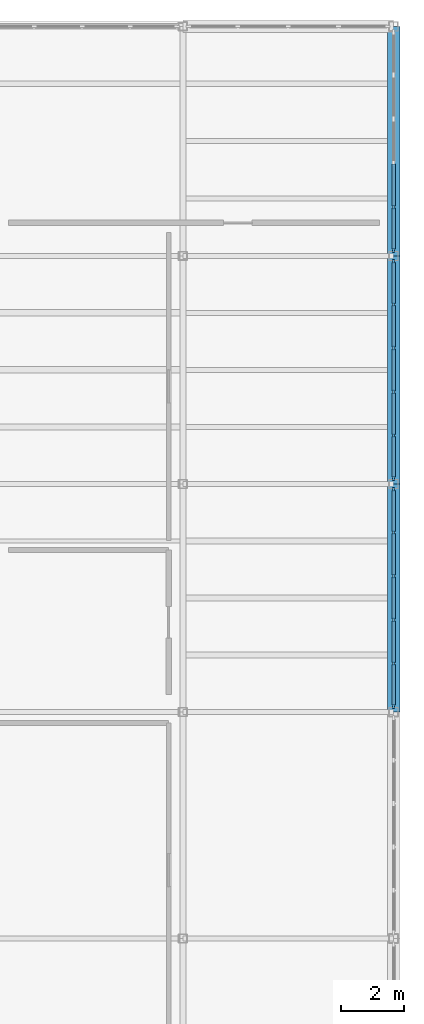
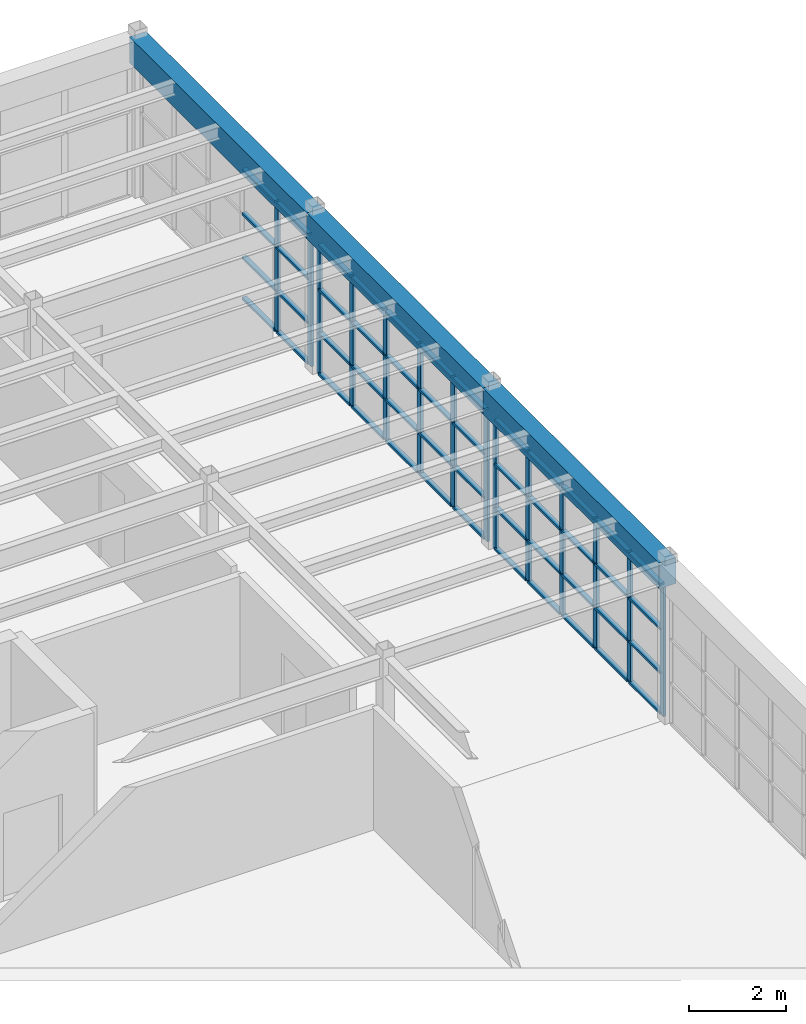
# One storey, part 34 of 52: 62 members, 3 beams, 3 elements without a shape of their own.
"""IFC4 building model written with IfcOpenShell, lengths in metres."""

from ifc_helpers import new_model, si_unit, direction, frame, origin, origin_2d, place, context, subcontext, project, spatial, rectangle, extrude, material, layer, layer_set, material_profile, profile_set, type_object, element, aggregate, save


model = new_model("IFC4")

# Units and contexts
model_context = context("Model", 3, precision=1e-05, world=origin(), true_north=direction((0.0, 1.0)))
body_context = subcontext(model_context, "Body", "Model", "MODEL_VIEW")
ifc_project = project(units=[si_unit("LENGTHUNIT", "METRE"), si_unit("AREAUNIT", "SQUARE_METRE"), si_unit("VOLUMEUNIT", "CUBIC_METRE"), si_unit("PLANEANGLEUNIT", "RADIAN"), si_unit("MASSUNIT", "GRAM", prefix="KILO")], contexts=[model_context])

# Site, building, storey
site_placement = place(None, origin())
site = spatial("IfcSite", under=ifc_project, at=site_placement, CompositionType="ELEMENT")
building_placement = place(site_placement, origin())
building = spatial("IfcBuilding", under=site, at=building_placement, Name="Candilejo Ridge Gondola Terminal", CompositionType="ELEMENT")
storey_placement = place(building_placement, frame((0.0, 0.0, 18.60009765625)))
storey = spatial("IfcBuildingStorey", under=building, at=storey_placement, Name="L04", CompositionType="ELEMENT", Elevation=18.60009765625)

# Curtain wall, members
ifc_material_1 = material(Name="Anodised aluminium AA 6063-T6", Category="aluminium")
ifc_layer_1 = layer(ifc_material_1, 0.169921875)
ifc_layer_set_1 = layer_set([ifc_layer_1], Name="ARC-CW-TOWER-3000-695X329")
curtain_wall_type_1 = type_object("IfcCurtainWallType", Name="ARC-CW-TOWER-3000-695X329", PredefinedType="NOTDEFINED", material=ifc_layer_set_1)
curtain_wall_1_placement = place(storey_placement, origin())
curtain_wall_1 = element("IfcCurtainWall", 1, at=curtain_wall_1_placement, inside=storey, type_object=curtain_wall_type_1, Name="Curtain wall V5 L04-217", PredefinedType="NOTDEFINED")
ifc_material_2 = material(Name="Anodised aluminium AA 6063-T6", Category="aluminium")
ifc_material_profile_1 = material_profile(ifc_material_2, rectangle(XDim=0.06494140625, YDim=0.14990234375, at=origin_2d()))
ifc_profile_set_1 = profile_set([ifc_material_profile_1], Name="Anodised aluminium AA 6063-T6")
member_type_1 = type_object("IfcMemberType", Name="ARC-CW-MULLION-150", PredefinedType="MULLION", material=ifc_profile_set_1)
member_1_placement = place(storey_placement, frame((175.300048828125, 99.232421875, 0.0), z_axis=(0.0, 0.0, 1.0), x_axis=(-1.0, 0.0, 0.0)))
member_1 = element("IfcMember", 2, at=member_1_placement, type_object=member_type_1, Name="CW-69X32 mullion 1", PredefinedType="MULLION", context=body_context, shape_type="SweptSolid", body=[
    extrude(rectangle(XDim=0.06494140625, YDim=0.14990234375, at=origin_2d()), origin(), (0.0, 0.0, 1.0), 3.289794921875),
])
member_2_placement = place(storey_placement, frame((175.300048828125, 100.590087890625, 0.0), z_axis=(0.0, 0.0, 1.0), x_axis=(-1.0, 0.0, 0.0)))
member_2 = element("IfcMember", 3, at=member_2_placement, type_object=member_type_1, Name="CW-69X32 mullion 2", PredefinedType="MULLION", context=body_context, shape_type="SweptSolid", body=[
    extrude(rectangle(XDim=0.06494140625, YDim=0.14990234375, at=origin_2d()), origin(), (0.0, 0.0, 1.0), 3.289794921875),
])
member_3_placement = place(storey_placement, frame((175.300048828125, 101.97998046875, 0.0), z_axis=(0.0, 0.0, 1.0), x_axis=(-1.0, 0.0, 0.0)))
member_3 = element("IfcMember", 4, at=member_3_placement, type_object=member_type_1, Name="CW-69X32 mullion 3", PredefinedType="MULLION", context=body_context, shape_type="SweptSolid", body=[
    extrude(rectangle(XDim=0.06494140625, YDim=0.14990234375, at=origin_2d()), origin(), (0.0, 0.0, 1.0), 3.289794921875),
])
member_4_placement = place(storey_placement, frame((175.300048828125, 103.3701171875, 0.0), z_axis=(0.0, 0.0, 1.0), x_axis=(-1.0, 0.0, 0.0)))
member_4 = element("IfcMember", 5, at=member_4_placement, type_object=member_type_1, Name="CW-69X32 mullion 4", PredefinedType="MULLION", context=body_context, shape_type="SweptSolid", body=[
    extrude(rectangle(XDim=0.06494140625, YDim=0.14990234375, at=origin_2d()), origin(), (0.0, 0.0, 1.0), 3.289794921875),
])
member_5_placement = place(storey_placement, frame((175.300048828125, 104.760009765625, 0.0), z_axis=(0.0, 0.0, 1.0), x_axis=(-1.0, 0.0, 0.0)))
member_5 = element("IfcMember", 6, at=member_5_placement, type_object=member_type_1, Name="CW-69X32 mullion 5", PredefinedType="MULLION", context=body_context, shape_type="SweptSolid", body=[
    extrude(rectangle(XDim=0.06494140625, YDim=0.14990234375, at=origin_2d()), origin(), (0.0, 0.0, 1.0), 3.289794921875),
])
member_6_placement = place(storey_placement, frame((175.300048828125, 106.117431640625, 0.0), z_axis=(0.0, 0.0, 1.0), x_axis=(-1.0, 0.0, 0.0)))
member_6 = element("IfcMember", 7, at=member_6_placement, type_object=member_type_1, Name="CW-69X32 mullion 6", PredefinedType="MULLION", context=body_context, shape_type="SweptSolid", body=[
    extrude(rectangle(XDim=0.06494140625, YDim=0.14990234375, at=origin_2d()), origin(), (0.0, 0.0, 1.0), 3.289794921875),
])

curtain_wall_2_placement = place(storey_placement, origin())
curtain_wall_2 = element("IfcCurtainWall", 8, at=curtain_wall_2_placement, inside=storey, type_object=curtain_wall_type_1, Name="Curtain wall V5 L04-219", PredefinedType="NOTDEFINED")
member_7_placement = place(storey_placement, frame((175.300048828125, 106.482421875, 0.0), z_axis=(0.0, 0.0, 1.0), x_axis=(-1.0, 0.0, 0.0)))
member_7 = element("IfcMember", 9, at=member_7_placement, type_object=member_type_1, Name="CW-69X32 mullion 1", PredefinedType="MULLION", context=body_context, shape_type="SweptSolid", body=[
    extrude(rectangle(XDim=0.06494140625, YDim=0.14990234375, at=origin_2d()), origin(), (0.0, 0.0, 1.0), 3.289794921875),
])
member_8_placement = place(storey_placement, frame((175.300048828125, 107.840087890625, 0.0), z_axis=(0.0, 0.0, 1.0), x_axis=(-1.0, 0.0, 0.0)))
member_8 = element("IfcMember", 10, at=member_8_placement, type_object=member_type_1, Name="CW-69X32 mullion 2", PredefinedType="MULLION", context=body_context, shape_type="SweptSolid", body=[
    extrude(rectangle(XDim=0.06494140625, YDim=0.14990234375, at=origin_2d()), origin(), (0.0, 0.0, 1.0), 3.289794921875),
])
member_9_placement = place(storey_placement, frame((175.300048828125, 109.22998046875, 0.0), z_axis=(0.0, 0.0, 1.0), x_axis=(-1.0, 0.0, 0.0)))
member_9 = element("IfcMember", 11, at=member_9_placement, type_object=member_type_1, Name="CW-69X32 mullion 3", PredefinedType="MULLION", context=body_context, shape_type="SweptSolid", body=[
    extrude(rectangle(XDim=0.06494140625, YDim=0.14990234375, at=origin_2d()), origin(), (0.0, 0.0, 1.0), 3.289794921875),
])
member_10_placement = place(storey_placement, frame((175.300048828125, 110.6201171875, 0.0), z_axis=(0.0, 0.0, 1.0), x_axis=(-1.0, 0.0, 0.0)))
member_10 = element("IfcMember", 12, at=member_10_placement, type_object=member_type_1, Name="CW-69X32 mullion 4", PredefinedType="MULLION", context=body_context, shape_type="SweptSolid", body=[
    extrude(rectangle(XDim=0.06494140625, YDim=0.14990234375, at=origin_2d()), origin(), (0.0, 0.0, 1.0), 3.289794921875),
])
member_11_placement = place(storey_placement, frame((175.300048828125, 112.010009765625, 0.0), z_axis=(0.0, 0.0, 1.0), x_axis=(-1.0, 0.0, 0.0)))
member_11 = element("IfcMember", 13, at=member_11_placement, type_object=member_type_1, Name="CW-69X32 mullion 5", PredefinedType="MULLION", context=body_context, shape_type="SweptSolid", body=[
    extrude(rectangle(XDim=0.06494140625, YDim=0.14990234375, at=origin_2d()), origin(), (0.0, 0.0, 1.0), 3.289794921875),
])
member_12_placement = place(storey_placement, frame((175.300048828125, 113.367431640625, 0.0), z_axis=(0.0, 0.0, 1.0), x_axis=(-1.0, 0.0, 0.0)))
member_12 = element("IfcMember", 14, at=member_12_placement, type_object=member_type_1, Name="CW-69X32 mullion 6", PredefinedType="MULLION", context=body_context, shape_type="SweptSolid", body=[
    extrude(rectangle(XDim=0.06494140625, YDim=0.14990234375, at=origin_2d()), origin(), (0.0, 0.0, 1.0), 3.289794921875),
])

ifc_material_3 = material(Name="Anodised aluminium AA 6063-T6", Category="aluminium")
ifc_layer_2 = layer(ifc_material_3, 0.169921875)
ifc_layer_set_2 = layer_set([ifc_layer_2], Name="ARC-CW-TOWER-3000-700X329")
curtain_wall_type_2 = type_object("IfcCurtainWallType", Name="ARC-CW-TOWER-3000-700X329", PredefinedType="NOTDEFINED", material=ifc_layer_set_2)
curtain_wall_3_placement = place(storey_placement, origin())
curtain_wall_3 = element("IfcCurtainWall", 15, at=curtain_wall_3_placement, inside=storey, type_object=curtain_wall_type_2, Name="Curtain wall V5 L04-221", PredefinedType="NOTDEFINED")
member_13_placement = place(storey_placement, frame((175.300048828125, 113.732421875, 0.0), z_axis=(0.0, 0.0, 1.0), x_axis=(-1.0, 0.0, 0.0)))
member_13 = element("IfcMember", 16, at=member_13_placement, type_object=member_type_1, Name="CW-70X32 mullion 1", PredefinedType="MULLION", context=body_context, shape_type="SweptSolid", body=[
    extrude(rectangle(XDim=0.06494140625, YDim=0.14990234375, at=origin_2d()), origin(), (0.0, 0.0, 1.0), 3.289794921875),
])
member_14_placement = place(storey_placement, frame((175.300048828125, 115.10009765625, 0.0), z_axis=(0.0, 0.0, 1.0), x_axis=(-1.0, 0.0, 0.0)))
member_14 = element("IfcMember", 17, at=member_14_placement, type_object=member_type_1, Name="CW-70X32 mullion 2", PredefinedType="MULLION", context=body_context, shape_type="SweptSolid", body=[
    extrude(rectangle(XDim=0.06494140625, YDim=0.14990234375, at=origin_2d()), origin(), (0.0, 0.0, 1.0), 3.289794921875),
])

# Member
ifc_material_4 = material(Name="Anodised aluminium AA 6063-T6", Category="aluminium")
ifc_material_profile_2 = material_profile(ifc_material_4, rectangle(XDim=0.110107421875, YDim=0.06005859375, at=origin_2d()))
ifc_profile_set_2 = profile_set([ifc_material_profile_2], Name="Anodised aluminium AA 6063-T6")
member_type_2 = type_object("IfcMemberType", Name="ARC-CW-TRANSOM-110", PredefinedType="USERDEFINED", material=ifc_profile_set_2)
member_15_placement = place(storey_placement, frame((175.300048828125, 99.264892578125, 0.02978515625), z_axis=(0.0, 1.0, 0.0), x_axis=(-1.0, 0.0, 0.0)))
member_15 = element("IfcMember", 18, at=member_15_placement, type_object=member_type_2, Name="CW-69X32 transom 1.1", ObjectType="TRANSOM", PredefinedType="USERDEFINED", context=body_context, shape_type="SweptSolid", body=[
    extrude(rectangle(XDim=0.110107421875, YDim=0.06005859375, at=origin_2d()), origin(), (0.0, 0.0, 1.0), 1.292724609375),
])

member_16_placement = place(storey_placement, frame((175.300048828125, 99.264892578125, 1.0498046875), z_axis=(0.0, 1.0, 0.0), x_axis=(-1.0, 0.0, 0.0)))
member_16 = element("IfcMember", 19, at=member_16_placement, type_object=member_type_2, Name="CW-69X32 transom 1.2", ObjectType="TRANSOM", PredefinedType="USERDEFINED", context=body_context, shape_type="SweptSolid", body=[
    extrude(rectangle(XDim=0.110107421875, YDim=0.06005859375, at=origin_2d()), origin(), (0.0, 0.0, 1.0), 1.292724609375),
])

member_17_placement = place(storey_placement, frame((175.300048828125, 99.264892578125, 2.14990234375), z_axis=(0.0, 1.0, 0.0), x_axis=(-1.0, 0.0, 0.0)))
member_17 = element("IfcMember", 20, at=member_17_placement, type_object=member_type_2, Name="CW-69X32 transom 1.3", ObjectType="TRANSOM", PredefinedType="USERDEFINED", context=body_context, shape_type="SweptSolid", body=[
    extrude(rectangle(XDim=0.110107421875, YDim=0.06005859375, at=origin_2d()), origin(), (0.0, 0.0, 1.0), 1.292724609375),
])

member_18_placement = place(storey_placement, frame((175.300048828125, 99.264892578125, 3.260009765625), z_axis=(0.0, 1.0, 0.0), x_axis=(-1.0, 0.0, 0.0)))
member_18 = element("IfcMember", 21, at=member_18_placement, type_object=member_type_2, Name="CW-69X32 transom 1.4", ObjectType="TRANSOM", PredefinedType="USERDEFINED", context=body_context, shape_type="SweptSolid", body=[
    extrude(rectangle(XDim=0.110107421875, YDim=0.06005859375, at=origin_2d()), origin(), (0.0, 0.0, 1.0), 1.292724609375),
])

member_19_placement = place(storey_placement, frame((175.300048828125, 100.62255859375, 0.02978515625), z_axis=(0.0, 1.0, 0.0), x_axis=(-1.0, 0.0, 0.0)))
member_19 = element("IfcMember", 22, at=member_19_placement, type_object=member_type_2, Name="CW-69X32 transom 2.1", ObjectType="TRANSOM", PredefinedType="USERDEFINED", context=body_context, shape_type="SweptSolid", body=[
    extrude(rectangle(XDim=0.110107421875, YDim=0.06005859375, at=origin_2d()), origin(), (0.0, 0.0, 1.0), 1.324951171875),
])

member_20_placement = place(storey_placement, frame((175.300048828125, 100.62255859375, 1.0498046875), z_axis=(0.0, 1.0, 0.0), x_axis=(-1.0, 0.0, 0.0)))
member_20 = element("IfcMember", 23, at=member_20_placement, type_object=member_type_2, Name="CW-69X32 transom 2.2", ObjectType="TRANSOM", PredefinedType="USERDEFINED", context=body_context, shape_type="SweptSolid", body=[
    extrude(rectangle(XDim=0.110107421875, YDim=0.06005859375, at=origin_2d()), origin(), (0.0, 0.0, 1.0), 1.324951171875),
])

member_21_placement = place(storey_placement, frame((175.300048828125, 100.62255859375, 2.14990234375), z_axis=(0.0, 1.0, 0.0), x_axis=(-1.0, 0.0, 0.0)))
member_21 = element("IfcMember", 24, at=member_21_placement, type_object=member_type_2, Name="CW-69X32 transom 2.3", ObjectType="TRANSOM", PredefinedType="USERDEFINED", context=body_context, shape_type="SweptSolid", body=[
    extrude(rectangle(XDim=0.110107421875, YDim=0.06005859375, at=origin_2d()), origin(), (0.0, 0.0, 1.0), 1.324951171875),
])

member_22_placement = place(storey_placement, frame((175.300048828125, 100.62255859375, 3.260009765625), z_axis=(0.0, 1.0, 0.0), x_axis=(-1.0, 0.0, 0.0)))
member_22 = element("IfcMember", 25, at=member_22_placement, type_object=member_type_2, Name="CW-69X32 transom 2.4", ObjectType="TRANSOM", PredefinedType="USERDEFINED", context=body_context, shape_type="SweptSolid", body=[
    extrude(rectangle(XDim=0.110107421875, YDim=0.06005859375, at=origin_2d()), origin(), (0.0, 0.0, 1.0), 1.324951171875),
])

member_23_placement = place(storey_placement, frame((175.300048828125, 102.012451171875, 0.02978515625), z_axis=(0.0, 1.0, 0.0), x_axis=(-1.0, 0.0, 0.0)))
member_23 = element("IfcMember", 26, at=member_23_placement, type_object=member_type_2, Name="CW-69X32 transom 3.1", ObjectType="TRANSOM", PredefinedType="USERDEFINED", context=body_context, shape_type="SweptSolid", body=[
    extrude(rectangle(XDim=0.110107421875, YDim=0.06005859375, at=origin_2d()), origin(), (0.0, 0.0, 1.0), 1.324951171875),
])

member_24_placement = place(storey_placement, frame((175.300048828125, 102.012451171875, 1.0498046875), z_axis=(0.0, 1.0, 0.0), x_axis=(-1.0, 0.0, 0.0)))
member_24 = element("IfcMember", 27, at=member_24_placement, type_object=member_type_2, Name="CW-69X32 transom 3.2", ObjectType="TRANSOM", PredefinedType="USERDEFINED", context=body_context, shape_type="SweptSolid", body=[
    extrude(rectangle(XDim=0.110107421875, YDim=0.06005859375, at=origin_2d()), origin(), (0.0, 0.0, 1.0), 1.324951171875),
])

member_25_placement = place(storey_placement, frame((175.300048828125, 102.012451171875, 2.14990234375), z_axis=(0.0, 1.0, 0.0), x_axis=(-1.0, 0.0, 0.0)))
member_25 = element("IfcMember", 28, at=member_25_placement, type_object=member_type_2, Name="CW-69X32 transom 3.3", ObjectType="TRANSOM", PredefinedType="USERDEFINED", context=body_context, shape_type="SweptSolid", body=[
    extrude(rectangle(XDim=0.110107421875, YDim=0.06005859375, at=origin_2d()), origin(), (0.0, 0.0, 1.0), 1.324951171875),
])

member_26_placement = place(storey_placement, frame((175.300048828125, 102.012451171875, 3.260009765625), z_axis=(0.0, 1.0, 0.0), x_axis=(-1.0, 0.0, 0.0)))
member_26 = element("IfcMember", 29, at=member_26_placement, type_object=member_type_2, Name="CW-69X32 transom 3.4", ObjectType="TRANSOM", PredefinedType="USERDEFINED", context=body_context, shape_type="SweptSolid", body=[
    extrude(rectangle(XDim=0.110107421875, YDim=0.06005859375, at=origin_2d()), origin(), (0.0, 0.0, 1.0), 1.324951171875),
])

member_27_placement = place(storey_placement, frame((175.300048828125, 103.402587890625, 0.02978515625), z_axis=(0.0, 1.0, 0.0), x_axis=(-1.0, 0.0, 0.0)))
member_27 = element("IfcMember", 30, at=member_27_placement, type_object=member_type_2, Name="CW-69X32 transom 4.1", ObjectType="TRANSOM", PredefinedType="USERDEFINED", context=body_context, shape_type="SweptSolid", body=[
    extrude(rectangle(XDim=0.110107421875, YDim=0.06005859375, at=origin_2d()), origin(), (0.0, 0.0, 1.0), 1.324951171875),
])

member_28_placement = place(storey_placement, frame((175.300048828125, 103.402587890625, 1.0498046875), z_axis=(0.0, 1.0, 0.0), x_axis=(-1.0, 0.0, 0.0)))
member_28 = element("IfcMember", 31, at=member_28_placement, type_object=member_type_2, Name="CW-69X32 transom 4.2", ObjectType="TRANSOM", PredefinedType="USERDEFINED", context=body_context, shape_type="SweptSolid", body=[
    extrude(rectangle(XDim=0.110107421875, YDim=0.06005859375, at=origin_2d()), origin(), (0.0, 0.0, 1.0), 1.324951171875),
])

member_29_placement = place(storey_placement, frame((175.300048828125, 103.402587890625, 2.14990234375), z_axis=(0.0, 1.0, 0.0), x_axis=(-1.0, 0.0, 0.0)))
member_29 = element("IfcMember", 32, at=member_29_placement, type_object=member_type_2, Name="CW-69X32 transom 4.3", ObjectType="TRANSOM", PredefinedType="USERDEFINED", context=body_context, shape_type="SweptSolid", body=[
    extrude(rectangle(XDim=0.110107421875, YDim=0.06005859375, at=origin_2d()), origin(), (0.0, 0.0, 1.0), 1.324951171875),
])

member_30_placement = place(storey_placement, frame((175.300048828125, 103.402587890625, 3.260009765625), z_axis=(0.0, 1.0, 0.0), x_axis=(-1.0, 0.0, 0.0)))
member_30 = element("IfcMember", 33, at=member_30_placement, type_object=member_type_2, Name="CW-69X32 transom 4.4", ObjectType="TRANSOM", PredefinedType="USERDEFINED", context=body_context, shape_type="SweptSolid", body=[
    extrude(rectangle(XDim=0.110107421875, YDim=0.06005859375, at=origin_2d()), origin(), (0.0, 0.0, 1.0), 1.324951171875),
])

member_31_placement = place(storey_placement, frame((175.300048828125, 104.79248046875, 0.02978515625), z_axis=(0.0, 1.0, 0.0), x_axis=(-1.0, 0.0, 0.0)))
member_31 = element("IfcMember", 34, at=member_31_placement, type_object=member_type_2, Name="CW-69X32 transom 5.1", ObjectType="TRANSOM", PredefinedType="USERDEFINED", context=body_context, shape_type="SweptSolid", body=[
    extrude(rectangle(XDim=0.110107421875, YDim=0.06005859375, at=origin_2d()), origin(), (0.0, 0.0, 1.0), 1.29248046875),
])

member_32_placement = place(storey_placement, frame((175.300048828125, 104.79248046875, 1.0498046875), z_axis=(0.0, 1.0, 0.0), x_axis=(-1.0, 0.0, 0.0)))
member_32 = element("IfcMember", 35, at=member_32_placement, type_object=member_type_2, Name="CW-69X32 transom 5.2", ObjectType="TRANSOM", PredefinedType="USERDEFINED", context=body_context, shape_type="SweptSolid", body=[
    extrude(rectangle(XDim=0.110107421875, YDim=0.06005859375, at=origin_2d()), origin(), (0.0, 0.0, 1.0), 1.29248046875),
])

member_33_placement = place(storey_placement, frame((175.300048828125, 104.79248046875, 2.14990234375), z_axis=(0.0, 1.0, 0.0), x_axis=(-1.0, 0.0, 0.0)))
member_33 = element("IfcMember", 36, at=member_33_placement, type_object=member_type_2, Name="CW-69X32 transom 5.3", ObjectType="TRANSOM", PredefinedType="USERDEFINED", context=body_context, shape_type="SweptSolid", body=[
    extrude(rectangle(XDim=0.110107421875, YDim=0.06005859375, at=origin_2d()), origin(), (0.0, 0.0, 1.0), 1.29248046875),
])

member_34_placement = place(storey_placement, frame((175.300048828125, 104.79248046875, 3.260009765625), z_axis=(0.0, 1.0, 0.0), x_axis=(-1.0, 0.0, 0.0)))
member_34 = element("IfcMember", 37, at=member_34_placement, type_object=member_type_2, Name="CW-69X32 transom 5.4", ObjectType="TRANSOM", PredefinedType="USERDEFINED", context=body_context, shape_type="SweptSolid", body=[
    extrude(rectangle(XDim=0.110107421875, YDim=0.06005859375, at=origin_2d()), origin(), (0.0, 0.0, 1.0), 1.29248046875),
])

aggregate(curtain_wall_1, [member_1, member_2, member_3, member_4, member_5, member_6, member_15, member_16, member_17, member_18, member_19, member_20, member_21, member_22, member_23, member_24, member_25, member_26, member_27, member_28, member_29, member_30, member_31, member_32, member_33, member_34])

member_35_placement = place(storey_placement, frame((175.300048828125, 106.514892578125, 0.02978515625), z_axis=(0.0, 1.0, 0.0), x_axis=(-1.0, 0.0, 0.0)))
member_35 = element("IfcMember", 38, at=member_35_placement, type_object=member_type_2, Name="CW-69X32 transom 1.1", ObjectType="TRANSOM", PredefinedType="USERDEFINED", context=body_context, shape_type="SweptSolid", body=[
    extrude(rectangle(XDim=0.110107421875, YDim=0.06005859375, at=origin_2d()), origin(), (0.0, 0.0, 1.0), 1.292724609375),
])

member_36_placement = place(storey_placement, frame((175.300048828125, 106.514892578125, 1.0498046875), z_axis=(0.0, 1.0, 0.0), x_axis=(-1.0, 0.0, 0.0)))
member_36 = element("IfcMember", 39, at=member_36_placement, type_object=member_type_2, Name="CW-69X32 transom 1.2", ObjectType="TRANSOM", PredefinedType="USERDEFINED", context=body_context, shape_type="SweptSolid", body=[
    extrude(rectangle(XDim=0.110107421875, YDim=0.06005859375, at=origin_2d()), origin(), (0.0, 0.0, 1.0), 1.292724609375),
])

member_37_placement = place(storey_placement, frame((175.300048828125, 106.514892578125, 2.14990234375), z_axis=(0.0, 1.0, 0.0), x_axis=(-1.0, 0.0, 0.0)))
member_37 = element("IfcMember", 40, at=member_37_placement, type_object=member_type_2, Name="CW-69X32 transom 1.3", ObjectType="TRANSOM", PredefinedType="USERDEFINED", context=body_context, shape_type="SweptSolid", body=[
    extrude(rectangle(XDim=0.110107421875, YDim=0.06005859375, at=origin_2d()), origin(), (0.0, 0.0, 1.0), 1.292724609375),
])

member_38_placement = place(storey_placement, frame((175.300048828125, 106.514892578125, 3.260009765625), z_axis=(0.0, 1.0, 0.0), x_axis=(-1.0, 0.0, 0.0)))
member_38 = element("IfcMember", 41, at=member_38_placement, type_object=member_type_2, Name="CW-69X32 transom 1.4", ObjectType="TRANSOM", PredefinedType="USERDEFINED", context=body_context, shape_type="SweptSolid", body=[
    extrude(rectangle(XDim=0.110107421875, YDim=0.06005859375, at=origin_2d()), origin(), (0.0, 0.0, 1.0), 1.292724609375),
])

member_39_placement = place(storey_placement, frame((175.300048828125, 107.87255859375, 0.02978515625), z_axis=(0.0, 1.0, 0.0), x_axis=(-1.0, 0.0, 0.0)))
member_39 = element("IfcMember", 42, at=member_39_placement, type_object=member_type_2, Name="CW-69X32 transom 2.1", ObjectType="TRANSOM", PredefinedType="USERDEFINED", context=body_context, shape_type="SweptSolid", body=[
    extrude(rectangle(XDim=0.110107421875, YDim=0.06005859375, at=origin_2d()), origin(), (0.0, 0.0, 1.0), 1.324951171875),
])

member_40_placement = place(storey_placement, frame((175.300048828125, 107.87255859375, 1.0498046875), z_axis=(0.0, 1.0, 0.0), x_axis=(-1.0, 0.0, 0.0)))
member_40 = element("IfcMember", 43, at=member_40_placement, type_object=member_type_2, Name="CW-69X32 transom 2.2", ObjectType="TRANSOM", PredefinedType="USERDEFINED", context=body_context, shape_type="SweptSolid", body=[
    extrude(rectangle(XDim=0.110107421875, YDim=0.06005859375, at=origin_2d()), origin(), (0.0, 0.0, 1.0), 1.324951171875),
])

member_41_placement = place(storey_placement, frame((175.300048828125, 107.87255859375, 2.14990234375), z_axis=(0.0, 1.0, 0.0), x_axis=(-1.0, 0.0, 0.0)))
member_41 = element("IfcMember", 44, at=member_41_placement, type_object=member_type_2, Name="CW-69X32 transom 2.3", ObjectType="TRANSOM", PredefinedType="USERDEFINED", context=body_context, shape_type="SweptSolid", body=[
    extrude(rectangle(XDim=0.110107421875, YDim=0.06005859375, at=origin_2d()), origin(), (0.0, 0.0, 1.0), 1.324951171875),
])

member_42_placement = place(storey_placement, frame((175.300048828125, 107.87255859375, 3.260009765625), z_axis=(0.0, 1.0, 0.0), x_axis=(-1.0, 0.0, 0.0)))
member_42 = element("IfcMember", 45, at=member_42_placement, type_object=member_type_2, Name="CW-69X32 transom 2.4", ObjectType="TRANSOM", PredefinedType="USERDEFINED", context=body_context, shape_type="SweptSolid", body=[
    extrude(rectangle(XDim=0.110107421875, YDim=0.06005859375, at=origin_2d()), origin(), (0.0, 0.0, 1.0), 1.324951171875),
])

member_43_placement = place(storey_placement, frame((175.300048828125, 109.262451171875, 0.02978515625), z_axis=(0.0, 1.0, 0.0), x_axis=(-1.0, 0.0, 0.0)))
member_43 = element("IfcMember", 46, at=member_43_placement, type_object=member_type_2, Name="CW-69X32 transom 3.1", ObjectType="TRANSOM", PredefinedType="USERDEFINED", context=body_context, shape_type="SweptSolid", body=[
    extrude(rectangle(XDim=0.110107421875, YDim=0.06005859375, at=origin_2d()), origin(), (0.0, 0.0, 1.0), 1.324951171875),
])

member_44_placement = place(storey_placement, frame((175.300048828125, 109.262451171875, 1.0498046875), z_axis=(0.0, 1.0, 0.0), x_axis=(-1.0, 0.0, 0.0)))
member_44 = element("IfcMember", 47, at=member_44_placement, type_object=member_type_2, Name="CW-69X32 transom 3.2", ObjectType="TRANSOM", PredefinedType="USERDEFINED", context=body_context, shape_type="SweptSolid", body=[
    extrude(rectangle(XDim=0.110107421875, YDim=0.06005859375, at=origin_2d()), origin(), (0.0, 0.0, 1.0), 1.324951171875),
])

member_45_placement = place(storey_placement, frame((175.300048828125, 109.262451171875, 2.14990234375), z_axis=(0.0, 1.0, 0.0), x_axis=(-1.0, 0.0, 0.0)))
member_45 = element("IfcMember", 48, at=member_45_placement, type_object=member_type_2, Name="CW-69X32 transom 3.3", ObjectType="TRANSOM", PredefinedType="USERDEFINED", context=body_context, shape_type="SweptSolid", body=[
    extrude(rectangle(XDim=0.110107421875, YDim=0.06005859375, at=origin_2d()), origin(), (0.0, 0.0, 1.0), 1.324951171875),
])

member_46_placement = place(storey_placement, frame((175.300048828125, 109.262451171875, 3.260009765625), z_axis=(0.0, 1.0, 0.0), x_axis=(-1.0, 0.0, 0.0)))
member_46 = element("IfcMember", 49, at=member_46_placement, type_object=member_type_2, Name="CW-69X32 transom 3.4", ObjectType="TRANSOM", PredefinedType="USERDEFINED", context=body_context, shape_type="SweptSolid", body=[
    extrude(rectangle(XDim=0.110107421875, YDim=0.06005859375, at=origin_2d()), origin(), (0.0, 0.0, 1.0), 1.324951171875),
])

member_47_placement = place(storey_placement, frame((175.300048828125, 110.652587890625, 0.02978515625), z_axis=(0.0, 1.0, 0.0), x_axis=(-1.0, 0.0, 0.0)))
member_47 = element("IfcMember", 50, at=member_47_placement, type_object=member_type_2, Name="CW-69X32 transom 4.1", ObjectType="TRANSOM", PredefinedType="USERDEFINED", context=body_context, shape_type="SweptSolid", body=[
    extrude(rectangle(XDim=0.110107421875, YDim=0.06005859375, at=origin_2d()), origin(), (0.0, 0.0, 1.0), 1.324951171875),
])

member_48_placement = place(storey_placement, frame((175.300048828125, 110.652587890625, 1.0498046875), z_axis=(0.0, 1.0, 0.0), x_axis=(-1.0, 0.0, 0.0)))
member_48 = element("IfcMember", 51, at=member_48_placement, type_object=member_type_2, Name="CW-69X32 transom 4.2", ObjectType="TRANSOM", PredefinedType="USERDEFINED", context=body_context, shape_type="SweptSolid", body=[
    extrude(rectangle(XDim=0.110107421875, YDim=0.06005859375, at=origin_2d()), origin(), (0.0, 0.0, 1.0), 1.324951171875),
])

member_49_placement = place(storey_placement, frame((175.300048828125, 110.652587890625, 2.14990234375), z_axis=(0.0, 1.0, 0.0), x_axis=(-1.0, 0.0, 0.0)))
member_49 = element("IfcMember", 52, at=member_49_placement, type_object=member_type_2, Name="CW-69X32 transom 4.3", ObjectType="TRANSOM", PredefinedType="USERDEFINED", context=body_context, shape_type="SweptSolid", body=[
    extrude(rectangle(XDim=0.110107421875, YDim=0.06005859375, at=origin_2d()), origin(), (0.0, 0.0, 1.0), 1.324951171875),
])

member_50_placement = place(storey_placement, frame((175.300048828125, 110.652587890625, 3.260009765625), z_axis=(0.0, 1.0, 0.0), x_axis=(-1.0, 0.0, 0.0)))
member_50 = element("IfcMember", 53, at=member_50_placement, type_object=member_type_2, Name="CW-69X32 transom 4.4", ObjectType="TRANSOM", PredefinedType="USERDEFINED", context=body_context, shape_type="SweptSolid", body=[
    extrude(rectangle(XDim=0.110107421875, YDim=0.06005859375, at=origin_2d()), origin(), (0.0, 0.0, 1.0), 1.324951171875),
])

member_51_placement = place(storey_placement, frame((175.300048828125, 112.04248046875, 0.02978515625), z_axis=(0.0, 1.0, 0.0), x_axis=(-1.0, 0.0, 0.0)))
member_51 = element("IfcMember", 54, at=member_51_placement, type_object=member_type_2, Name="CW-69X32 transom 5.1", ObjectType="TRANSOM", PredefinedType="USERDEFINED", context=body_context, shape_type="SweptSolid", body=[
    extrude(rectangle(XDim=0.110107421875, YDim=0.06005859375, at=origin_2d()), origin(), (0.0, 0.0, 1.0), 1.29248046875),
])

member_52_placement = place(storey_placement, frame((175.300048828125, 112.04248046875, 1.0498046875), z_axis=(0.0, 1.0, 0.0), x_axis=(-1.0, 0.0, 0.0)))
member_52 = element("IfcMember", 55, at=member_52_placement, type_object=member_type_2, Name="CW-69X32 transom 5.2", ObjectType="TRANSOM", PredefinedType="USERDEFINED", context=body_context, shape_type="SweptSolid", body=[
    extrude(rectangle(XDim=0.110107421875, YDim=0.06005859375, at=origin_2d()), origin(), (0.0, 0.0, 1.0), 1.29248046875),
])

member_53_placement = place(storey_placement, frame((175.300048828125, 112.04248046875, 2.14990234375), z_axis=(0.0, 1.0, 0.0), x_axis=(-1.0, 0.0, 0.0)))
member_53 = element("IfcMember", 56, at=member_53_placement, type_object=member_type_2, Name="CW-69X32 transom 5.3", ObjectType="TRANSOM", PredefinedType="USERDEFINED", context=body_context, shape_type="SweptSolid", body=[
    extrude(rectangle(XDim=0.110107421875, YDim=0.06005859375, at=origin_2d()), origin(), (0.0, 0.0, 1.0), 1.29248046875),
])

member_54_placement = place(storey_placement, frame((175.300048828125, 112.04248046875, 3.260009765625), z_axis=(0.0, 1.0, 0.0), x_axis=(-1.0, 0.0, 0.0)))
member_54 = element("IfcMember", 57, at=member_54_placement, type_object=member_type_2, Name="CW-69X32 transom 5.4", ObjectType="TRANSOM", PredefinedType="USERDEFINED", context=body_context, shape_type="SweptSolid", body=[
    extrude(rectangle(XDim=0.110107421875, YDim=0.06005859375, at=origin_2d()), origin(), (0.0, 0.0, 1.0), 1.29248046875),
])

aggregate(curtain_wall_2, [member_7, member_8, member_9, member_10, member_11, member_12, member_35, member_36, member_37, member_38, member_39, member_40, member_41, member_42, member_43, member_44, member_45, member_46, member_47, member_48, member_49, member_50, member_51, member_52, member_53, member_54])

member_55_placement = place(storey_placement, frame((175.300048828125, 113.764892578125, 0.02978515625), z_axis=(0.0, 1.0, 0.0), x_axis=(-1.0, 0.0, 0.0)))
member_55 = element("IfcMember", 58, at=member_55_placement, type_object=member_type_2, Name="CW-70X32 transom 1.1", ObjectType="TRANSOM", PredefinedType="USERDEFINED", context=body_context, shape_type="SweptSolid", body=[
    extrude(rectangle(XDim=0.110107421875, YDim=0.06005859375, at=origin_2d()), origin(), (0.0, 0.0, 1.0), 1.302490234375),
])

member_56_placement = place(storey_placement, frame((175.300048828125, 113.764892578125, 1.0498046875), z_axis=(0.0, 1.0, 0.0), x_axis=(-1.0, 0.0, 0.0)))
member_56 = element("IfcMember", 59, at=member_56_placement, type_object=member_type_2, Name="CW-70X32 transom 1.2", ObjectType="TRANSOM", PredefinedType="USERDEFINED", context=body_context, shape_type="SweptSolid", body=[
    extrude(rectangle(XDim=0.110107421875, YDim=0.06005859375, at=origin_2d()), origin(), (0.0, 0.0, 1.0), 1.302490234375),
])

member_57_placement = place(storey_placement, frame((175.300048828125, 113.764892578125, 2.14990234375), z_axis=(0.0, 1.0, 0.0), x_axis=(-1.0, 0.0, 0.0)))
member_57 = element("IfcMember", 60, at=member_57_placement, type_object=member_type_2, Name="CW-70X32 transom 1.3", ObjectType="TRANSOM", PredefinedType="USERDEFINED", context=body_context, shape_type="SweptSolid", body=[
    extrude(rectangle(XDim=0.110107421875, YDim=0.06005859375, at=origin_2d()), origin(), (0.0, 0.0, 1.0), 1.302490234375),
])

member_58_placement = place(storey_placement, frame((175.300048828125, 113.764892578125, 3.260009765625), z_axis=(0.0, 1.0, 0.0), x_axis=(-1.0, 0.0, 0.0)))
member_58 = element("IfcMember", 61, at=member_58_placement, type_object=member_type_2, Name="CW-70X32 transom 1.4", ObjectType="TRANSOM", PredefinedType="USERDEFINED", context=body_context, shape_type="SweptSolid", body=[
    extrude(rectangle(XDim=0.110107421875, YDim=0.06005859375, at=origin_2d()), origin(), (0.0, 0.0, 1.0), 1.302490234375),
])

member_59_placement = place(storey_placement, frame((175.300048828125, 115.132568359375, 0.02978515625), z_axis=(0.0, 1.0, 0.0), x_axis=(-1.0, 0.0, 0.0)))
member_59 = element("IfcMember", 62, at=member_59_placement, type_object=member_type_2, Name="CW-70X32 transom 2.1", ObjectType="TRANSOM", PredefinedType="USERDEFINED", context=body_context, shape_type="SweptSolid", body=[
    extrude(rectangle(XDim=0.110107421875, YDim=0.06005859375, at=origin_2d()), origin(), (0.0, 0.0, 1.0), 1.3349609375),
])

member_60_placement = place(storey_placement, frame((175.300048828125, 115.132568359375, 1.0498046875), z_axis=(0.0, 1.0, 0.0), x_axis=(-1.0, 0.0, 0.0)))
member_60 = element("IfcMember", 63, at=member_60_placement, type_object=member_type_2, Name="CW-70X32 transom 2.2", ObjectType="TRANSOM", PredefinedType="USERDEFINED", context=body_context, shape_type="SweptSolid", body=[
    extrude(rectangle(XDim=0.110107421875, YDim=0.06005859375, at=origin_2d()), origin(), (0.0, 0.0, 1.0), 1.3349609375),
])

member_61_placement = place(storey_placement, frame((175.300048828125, 115.132568359375, 2.14990234375), z_axis=(0.0, 1.0, 0.0), x_axis=(-1.0, 0.0, 0.0)))
member_61 = element("IfcMember", 64, at=member_61_placement, type_object=member_type_2, Name="CW-70X32 transom 2.3", ObjectType="TRANSOM", PredefinedType="USERDEFINED", context=body_context, shape_type="SweptSolid", body=[
    extrude(rectangle(XDim=0.110107421875, YDim=0.06005859375, at=origin_2d()), origin(), (0.0, 0.0, 1.0), 1.3349609375),
])

member_62_placement = place(storey_placement, frame((175.300048828125, 115.132568359375, 3.260009765625), z_axis=(0.0, 1.0, 0.0), x_axis=(-1.0, 0.0, 0.0)))
member_62 = element("IfcMember", 65, at=member_62_placement, type_object=member_type_2, Name="CW-70X32 transom 2.4", ObjectType="TRANSOM", PredefinedType="USERDEFINED", context=body_context, shape_type="SweptSolid", body=[
    extrude(rectangle(XDim=0.110107421875, YDim=0.06005859375, at=origin_2d()), origin(), (0.0, 0.0, 1.0), 1.3349609375),
])

aggregate(curtain_wall_3, [member_13, member_14, member_55, member_56, member_57, member_58, member_59, member_60, member_61, member_62])

# Beams
ifc_material_5 = material(Name="Concrete f'c 35 MPa (C35/45)", Category="concrete")
ifc_material_profile_3 = material_profile(ifc_material_5, rectangle(XDim=0.39990234375, YDim=0.64990234375, at=origin_2d()))
ifc_profile_set_3 = profile_set([ifc_material_profile_3], Name="Concrete f'c 35 MPa (C35/45)")
beam_type = type_object("IfcBeamType", Name="STR-SPN-RC400X650", PredefinedType="SPANDREL", material=ifc_profile_set_3)
for number, where, z_axis, x_axis, name in (
    (66, (175.300048828125, 99.050048828125, 3.664794921875), (0.0, 1.0, 0.0), (-1.0, 0.0, 0.0), "Beam Y V5 L04 Y17-Y18@X27"),
    (67, (175.300048828125, 106.300048828125, 3.664794921875), (0.0, 1.0, 0.0), (-1.0, 0.0, 0.0), "Beam Y V5 L04 Y18-Y19@X27"),
):
    element("IfcBeam", number, at=place(storey_placement, frame(where, z_axis=z_axis, x_axis=x_axis)), inside=storey, type_object=beam_type, Name=name, PredefinedType="SPANDREL", context=body_context, shape_type="SweptSolid", body=[
        extrude(rectangle(XDim=0.39990234375, YDim=0.64990234375, at=origin_2d()), origin(), (0.0, 0.0, 1.0), 7.25),
    ])
beam_placement = place(storey_placement, frame((175.300048828125, 113.550048828125, 3.664794921875), z_axis=(0.0, 1.0, 0.0), x_axis=(-1.0, 0.0, 0.0)))
element("IfcBeam", 68, at=beam_placement, inside=storey, type_object=beam_type, Name="Beam Y V5 L04 Y19-Y20@X27", PredefinedType="SPANDREL", context=body_context, shape_type="SweptSolid", body=[
    extrude(rectangle(XDim=0.39990234375, YDim=0.64990234375, at=origin_2d()), origin(), (0.0, 0.0, 1.0), 7.300048828125),
])

save(model, "model.ifc")
